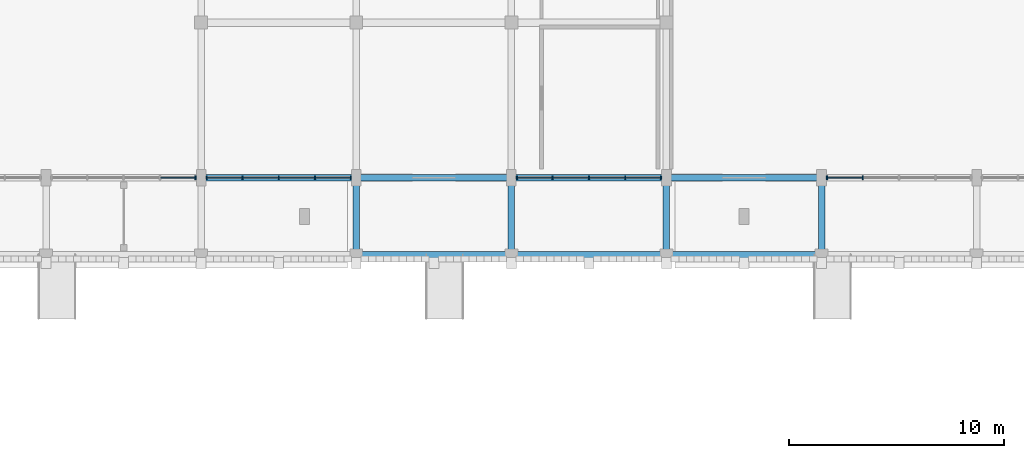
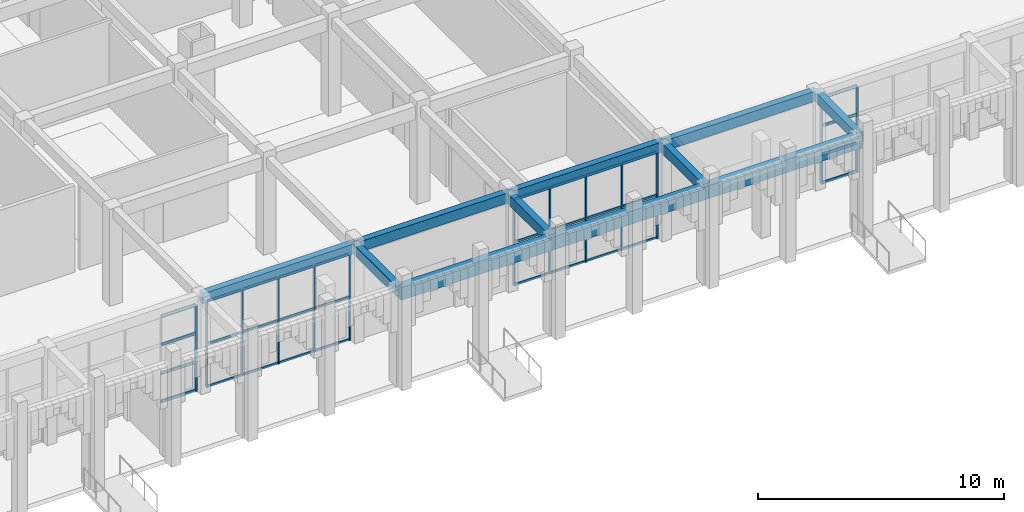
# One storey, part 15 of 72: 45 members, 11 beams, 4 elements without a shape of their own.
"""IFC4 building model written with IfcOpenShell, lengths in metres."""

from ifc_helpers import new_model, si_unit, direction, frame, origin, origin_2d, place, context, subcontext, project, spatial, rectangle, extrude, material, material_profile, profile_set, type_object, element, aggregate, save


model = new_model("IFC4")

# Units and contexts
model_context = context("Model", 3, precision=1e-05, world=origin(), true_north=direction((0.0, 1.0)))
body_context = subcontext(model_context, "Body", "Model", "MODEL_VIEW")
ifc_project = project(units=[si_unit("LENGTHUNIT", "METRE"), si_unit("AREAUNIT", "SQUARE_METRE"), si_unit("VOLUMEUNIT", "CUBIC_METRE"), si_unit("PLANEANGLEUNIT", "RADIAN"), si_unit("MASSUNIT", "GRAM", prefix="KILO")], contexts=[model_context])

# Site, building, storey
site_placement = place(None, origin())
site = spatial("IfcSite", under=ifc_project, at=site_placement, CompositionType="ELEMENT")
building_placement = place(site_placement, origin())
building = spatial("IfcBuilding", under=site, at=building_placement, Name="Nzembalo Square Collegiate School", CompositionType="ELEMENT")
storey_placement = place(building_placement, origin())
storey = spatial("IfcBuildingStorey", under=building, at=storey_placement, Name="L00", CompositionType="ELEMENT", Elevation=0.0)

# Beams
ifc_material_1 = material(Name="Concrete C35/45", Category="concrete")
ifc_material_profile_1 = material_profile(ifc_material_1, rectangle(XDim=0.35009765625, YDim=0.64990234375, at=origin_2d()), Name="RC 350x650")
ifc_profile_set_1 = profile_set([ifc_material_profile_1], Name="Concrete C35/45")
beam_type_1 = type_object("IfcBeamType", Name="B01", PredefinedType="BEAM", material=ifc_profile_set_1)
for number, where, z_axis, x_axis, name in (
    (1, (76.800048828125, 79.199951171875, 4.465087890625), (1.0, 0.0, 0.0), (0.0, 1.0, 0.0), "Beam B01 L00"),
    (2, (84.0, 79.199951171875, 4.465087890625), (1.0, 0.0, 0.0), (0.0, 1.0, 0.0), "Beam B01 L00"),
    (3, (91.199951171875, 79.199951171875, 4.465087890625), (1.0, 0.0, 0.0), (0.0, 1.0, 0.0), "Beam B01 L00"),
):
    element("IfcBeam", number, at=place(storey_placement, frame(where, z_axis=z_axis, x_axis=x_axis)), inside=storey, type_object=beam_type_1, Name=name, PredefinedType="BEAM", context=body_context, shape_type="SweptSolid", body=[
        extrude(rectangle(XDim=0.35009765625, YDim=0.64990234375, at=origin_2d()), origin(), (0.0, 0.0, 1.0), 7.199951171875),
    ])
ifc_material_2 = material(Name="Concrete C35/45", Category="concrete")
ifc_material_profile_2 = material_profile(ifc_material_2, rectangle(XDim=0.300048828125, YDim=0.5, at=origin_2d()), Name="RC 300x500")
ifc_profile_set_2 = profile_set([ifc_material_profile_2], Name="Concrete C35/45")
beam_type_2 = type_object("IfcBeamType", Name="B02", PredefinedType="BEAM", material=ifc_profile_set_2)
for number, where, z_axis, x_axis, name in (
    (4, (76.800048828125, 79.199951171875, 4.5400390625), (0.0, 1.0, 0.0), (-1.0, 0.0, 0.0), "Beam B02 L00"),
    (5, (84.0, 79.199951171875, 4.5400390625), (0.0, 1.0, 0.0), (-1.0, 0.0, 0.0), "Beam B02 L00"),
    (6, (91.199951171875, 79.199951171875, 4.5400390625), (0.0, 1.0, 0.0), (-1.0, 0.0, 0.0), "Beam B02 L00"),
    (7, (98.39990234375, 79.199951171875, 4.5400390625), (0.0, 1.0, 0.0), (-1.0, 0.0, 0.0), "Beam B02 L00"),
):
    element("IfcBeam", number, at=place(storey_placement, frame(where, z_axis=z_axis, x_axis=x_axis)), inside=storey, type_object=beam_type_2, Name=name, PredefinedType="BEAM", context=body_context, shape_type="SweptSolid", body=[
        extrude(rectangle(XDim=0.300048828125, YDim=0.5, at=origin_2d()), origin(), (0.0, 0.0, 1.0), 3.60009765625),
    ])
ifc_material_3 = material(Name="Concrete C35/45", Category="concrete")
ifc_material_profile_3 = material_profile(ifc_material_3, rectangle(XDim=0.300048828125, YDim=0.5, at=origin_2d()), Name="RC 300x500")
ifc_profile_set_3 = profile_set([ifc_material_profile_3], Name="Concrete C35/45")
beam_type_3 = type_object("IfcBeamType", Name="SP01", PredefinedType="SPANDREL", material=ifc_profile_set_3)
for number, where, z_axis, x_axis, name in (
    (8, (69.60009765625, 82.800048828125, 4.5400390625), (1.0, 0.0, 0.0), (0.0, 1.0, 0.0), "Beam SP01 L00"),
    (9, (76.800048828125, 82.800048828125, 4.5400390625), (1.0, 0.0, 0.0), (0.0, 1.0, 0.0), "Beam SP01 L00"),
    (10, (84.0, 82.800048828125, 4.5400390625), (1.0, 0.0, 0.0), (0.0, 1.0, 0.0), "Beam SP01 L00"),
    (11, (91.199951171875, 82.800048828125, 4.5400390625), (1.0, 0.0, 0.0), (0.0, 1.0, 0.0), "Beam SP01 L00"),
):
    element("IfcBeam", number, at=place(storey_placement, frame(where, z_axis=z_axis, x_axis=x_axis)), inside=storey, type_object=beam_type_3, Name=name, PredefinedType="SPANDREL", context=body_context, shape_type="SweptSolid", body=[
        extrude(rectangle(XDim=0.300048828125, YDim=0.5, at=origin_2d()), origin(), (0.0, 0.0, 1.0), 7.199951171875),
    ])

# Curtain wall, member
ifc_material_4 = material(Name="Aluminium 6060-T66", Category="aluminium")
curtain_wall_type_1 = type_object("IfcCurtainWallType", Name="CW-06", PredefinedType="USERDEFINED", material=ifc_material_4)
curtain_wall_1_placement = place(storey_placement, origin())
curtain_wall_1 = element("IfcCurtainWall", 12, at=curtain_wall_1_placement, inside=storey, type_object=curtain_wall_type_1, Name="Curtain wall CW-06 cw:L00:029", ObjectType="LANCET", PredefinedType="USERDEFINED")
ifc_material_5 = material(Name="Aluminium 6060-T66", Category="aluminium")
ifc_material_profile_4 = material_profile(ifc_material_5, rectangle(XDim=0.06005859375, YDim=0.179931640625, at=origin_2d()), Name="ALU M60x180")
ifc_profile_set_4 = profile_set([ifc_material_profile_4], Name="Aluminium 6060-T66")
member_type_1 = type_object("IfcMemberType", Name="ML01", PredefinedType="MULLION", material=ifc_profile_set_4)
member_1_placement = place(storey_placement, frame((69.343017578125, 82.800048828125, 0.0), z_axis=(0.0, 0.0, 1.0), x_axis=(1.0, 0.0, 0.0)))
member_1 = element("IfcMember", 13, at=member_1_placement, type_object=member_type_1, Name="ML01 mullion 5", PredefinedType="MULLION", context=body_context, shape_type="SweptSolid", body=[
    extrude(rectangle(XDim=0.06005859375, YDim=0.179931640625, at=origin_2d()), origin(), (0.0, 0.0, 1.0), 4.283935546875),
])

# Curtain wall, members
ifc_material_6 = material(Name="Aluminium 6060-T66", Category="aluminium")
curtain_wall_type_2 = type_object("IfcCurtainWallType", Name="CW-01", PredefinedType="USERDEFINED", material=ifc_material_6)
curtain_wall_2_placement = place(storey_placement, origin())
curtain_wall_2 = element("IfcCurtainWall", 14, at=curtain_wall_2_placement, inside=storey, type_object=curtain_wall_type_2, Name="Curtain wall CW-01 cw:L00:032", ObjectType="UNITISED", PredefinedType="USERDEFINED")
member_2_placement = place(storey_placement, frame((98.656982421875, 82.800048828125, 0.0), z_axis=(0.0, 0.0, 1.0), x_axis=(1.0, 0.0, 0.0)))
member_2 = element("IfcMember", 15, at=member_2_placement, type_object=member_type_1, Name="ML01 mullion 1", PredefinedType="MULLION", context=body_context, shape_type="SweptSolid", body=[
    extrude(rectangle(XDim=0.06005859375, YDim=0.179931640625, at=origin_2d()), origin(), (0.0, 0.0, 1.0), 4.283935546875),
])
member_3_placement = place(storey_placement, frame((100.3134765625, 82.800048828125, 0.0), z_axis=(0.0, 0.0, 1.0), x_axis=(1.0, 0.0, 0.0)))
member_3 = element("IfcMember", 16, at=member_3_placement, type_object=member_type_1, Name="ML01 mullion 2", PredefinedType="MULLION", context=body_context, shape_type="SweptSolid", body=[
    extrude(rectangle(XDim=0.06005859375, YDim=0.179931640625, at=origin_2d()), origin(), (0.0, 0.0, 1.0), 4.283935546875),
])

ifc_material_7 = material(Name="Aluminium 6060-T66", Category="aluminium")
curtain_wall_type_3 = type_object("IfcCurtainWallType", Name="CW-07", PredefinedType="USERDEFINED", material=ifc_material_7)
curtain_wall_3_placement = place(storey_placement, origin())
curtain_wall_3 = element("IfcCurtainWall", 17, at=curtain_wall_3_placement, inside=storey, type_object=curtain_wall_type_3, Name="Curtain wall CW-07 cw:L00:030", ObjectType="LANCET", PredefinedType="USERDEFINED")
ifc_material_8 = material(Name="Aluminium 6060-T66", Category="aluminium")
ifc_material_profile_5 = material_profile(ifc_material_8, rectangle(XDim=0.06005859375, YDim=0.14990234375, at=origin_2d()), Name="ALU M60x150")
ifc_profile_set_5 = profile_set([ifc_material_profile_5], Name="Aluminium 6060-T66")
member_type_2 = type_object("IfcMemberType", Name="ML02", PredefinedType="MULLION", material=ifc_profile_set_5)
member_4_placement = place(storey_placement, frame((69.85693359375, 82.800048828125, 0.0), z_axis=(0.0, 0.0, 1.0), x_axis=(1.0, 0.0, 0.0)))
member_4 = element("IfcMember", 18, at=member_4_placement, type_object=member_type_2, Name="ML02 mullion 1", PredefinedType="MULLION", context=body_context, shape_type="SweptSolid", body=[
    extrude(rectangle(XDim=0.06005859375, YDim=0.14990234375, at=origin_2d()), origin(), (0.0, 0.0, 1.0), 4.283935546875),
])
member_5_placement = place(storey_placement, frame((71.513427734375, 82.800048828125, 0.0), z_axis=(0.0, 0.0, 1.0), x_axis=(1.0, 0.0, 0.0)))
member_5 = element("IfcMember", 19, at=member_5_placement, type_object=member_type_2, Name="ML02 mullion 2", PredefinedType="MULLION", context=body_context, shape_type="SweptSolid", body=[
    extrude(rectangle(XDim=0.06005859375, YDim=0.14990234375, at=origin_2d()), origin(), (0.0, 0.0, 1.0), 4.283935546875),
])
member_6_placement = place(storey_placement, frame((73.199951171875, 82.800048828125, 0.0), z_axis=(0.0, 0.0, 1.0), x_axis=(1.0, 0.0, 0.0)))
member_6 = element("IfcMember", 20, at=member_6_placement, type_object=member_type_2, Name="ML02 mullion 3", PredefinedType="MULLION", context=body_context, shape_type="SweptSolid", body=[
    extrude(rectangle(XDim=0.06005859375, YDim=0.14990234375, at=origin_2d()), origin(), (0.0, 0.0, 1.0), 4.283935546875),
])
member_7_placement = place(storey_placement, frame((74.886474609375, 82.800048828125, 0.0), z_axis=(0.0, 0.0, 1.0), x_axis=(1.0, 0.0, 0.0)))
member_7 = element("IfcMember", 21, at=member_7_placement, type_object=member_type_2, Name="ML02 mullion 4", PredefinedType="MULLION", context=body_context, shape_type="SweptSolid", body=[
    extrude(rectangle(XDim=0.06005859375, YDim=0.14990234375, at=origin_2d()), origin(), (0.0, 0.0, 1.0), 4.283935546875),
])
member_8_placement = place(storey_placement, frame((76.54296875, 82.800048828125, 0.0), z_axis=(0.0, 0.0, 1.0), x_axis=(1.0, 0.0, 0.0)))
member_8 = element("IfcMember", 22, at=member_8_placement, type_object=member_type_2, Name="ML02 mullion 5", PredefinedType="MULLION", context=body_context, shape_type="SweptSolid", body=[
    extrude(rectangle(XDim=0.06005859375, YDim=0.14990234375, at=origin_2d()), origin(), (0.0, 0.0, 1.0), 4.283935546875),
])

ifc_material_9 = material(Name="Aluminium 6060-T66", Category="aluminium")
curtain_wall_type_4 = type_object("IfcCurtainWallType", Name="CW-08", PredefinedType="USERDEFINED", material=ifc_material_9)
curtain_wall_4_placement = place(storey_placement, origin())
curtain_wall_4 = element("IfcCurtainWall", 23, at=curtain_wall_4_placement, inside=storey, type_object=curtain_wall_type_4, Name="Curtain wall CW-08 cw:L00:031", ObjectType="LANCET", PredefinedType="USERDEFINED")
member_9_placement = place(storey_placement, frame((84.257080078125, 82.800048828125, 0.0), z_axis=(0.0, 0.0, 1.0), x_axis=(1.0, 0.0, 0.0)))
member_9 = element("IfcMember", 24, at=member_9_placement, type_object=member_type_2, Name="ML02 mullion 1", PredefinedType="MULLION", context=body_context, shape_type="SweptSolid", body=[
    extrude(rectangle(XDim=0.06005859375, YDim=0.14990234375, at=origin_2d()), origin(), (0.0, 0.0, 1.0), 4.283935546875),
])
member_10_placement = place(storey_placement, frame((85.91357421875, 82.800048828125, 0.0), z_axis=(0.0, 0.0, 1.0), x_axis=(1.0, 0.0, 0.0)))
member_10 = element("IfcMember", 25, at=member_10_placement, type_object=member_type_2, Name="ML02 mullion 2", PredefinedType="MULLION", context=body_context, shape_type="SweptSolid", body=[
    extrude(rectangle(XDim=0.06005859375, YDim=0.14990234375, at=origin_2d()), origin(), (0.0, 0.0, 1.0), 4.283935546875),
])
member_11_placement = place(storey_placement, frame((87.60009765625, 82.800048828125, 0.0), z_axis=(0.0, 0.0, 1.0), x_axis=(1.0, 0.0, 0.0)))
member_11 = element("IfcMember", 26, at=member_11_placement, type_object=member_type_2, Name="ML02 mullion 3", PredefinedType="MULLION", context=body_context, shape_type="SweptSolid", body=[
    extrude(rectangle(XDim=0.06005859375, YDim=0.14990234375, at=origin_2d()), origin(), (0.0, 0.0, 1.0), 4.283935546875),
])
member_12_placement = place(storey_placement, frame((89.28662109375, 82.800048828125, 0.0), z_axis=(0.0, 0.0, 1.0), x_axis=(1.0, 0.0, 0.0)))
member_12 = element("IfcMember", 27, at=member_12_placement, type_object=member_type_2, Name="ML02 mullion 4", PredefinedType="MULLION", context=body_context, shape_type="SweptSolid", body=[
    extrude(rectangle(XDim=0.06005859375, YDim=0.14990234375, at=origin_2d()), origin(), (0.0, 0.0, 1.0), 4.283935546875),
])
member_13_placement = place(storey_placement, frame((90.943115234375, 82.800048828125, 0.0), z_axis=(0.0, 0.0, 1.0), x_axis=(1.0, 0.0, 0.0)))
member_13 = element("IfcMember", 28, at=member_13_placement, type_object=member_type_2, Name="ML02 mullion 5", PredefinedType="MULLION", context=body_context, shape_type="SweptSolid", body=[
    extrude(rectangle(XDim=0.06005859375, YDim=0.14990234375, at=origin_2d()), origin(), (0.0, 0.0, 1.0), 4.283935546875),
])

# Member
ifc_material_10 = material(Name="Aluminium 6060-T66", Category="aluminium")
ifc_material_profile_6 = material_profile(ifc_material_10, rectangle(XDim=0.06005859375, YDim=0.139892578125, at=origin_2d()), Name="ALU T60x140")
ifc_profile_set_6 = profile_set([ifc_material_profile_6], Name="Aluminium 6060-T66")
member_type_3 = type_object("IfcMemberType", Name="TR01", PredefinedType="USERDEFINED", material=ifc_profile_set_6)
member_14_placement = place(storey_placement, frame((67.716552734375, 82.800048828125, 0.030029296875), z_axis=(1.0, 0.0, 0.0), x_axis=(0.0, 1.0, 0.0)))
member_14 = element("IfcMember", 29, at=member_14_placement, type_object=member_type_3, Name="TR01 transom 1-4", ObjectType="TRANSOM", PredefinedType="USERDEFINED", context=body_context, shape_type="SweptSolid", body=[
    extrude(rectangle(XDim=0.06005859375, YDim=0.139892578125, at=origin_2d()), origin(), (0.0, 0.0, 1.0), 1.596435546875),
])

member_15_placement = place(storey_placement, frame((67.716552734375, 82.800048828125, 1.427978515625), z_axis=(1.0, 0.0, 0.0), x_axis=(0.0, 1.0, 0.0)))
member_15 = element("IfcMember", 30, at=member_15_placement, type_object=member_type_3, Name="TR01 transom 2-4", ObjectType="TRANSOM", PredefinedType="USERDEFINED", context=body_context, shape_type="SweptSolid", body=[
    extrude(rectangle(XDim=0.06005859375, YDim=0.139892578125, at=origin_2d()), origin(), (0.0, 0.0, 1.0), 1.596435546875),
])

member_16_placement = place(storey_placement, frame((67.716552734375, 82.800048828125, 2.85595703125), z_axis=(1.0, 0.0, 0.0), x_axis=(0.0, 1.0, 0.0)))
member_16 = element("IfcMember", 31, at=member_16_placement, type_object=member_type_3, Name="TR01 transom 3-4", ObjectType="TRANSOM", PredefinedType="USERDEFINED", context=body_context, shape_type="SweptSolid", body=[
    extrude(rectangle(XDim=0.06005859375, YDim=0.139892578125, at=origin_2d()), origin(), (0.0, 0.0, 1.0), 1.596435546875),
])

member_17_placement = place(storey_placement, frame((67.716552734375, 82.800048828125, 4.25390625), z_axis=(1.0, 0.0, 0.0), x_axis=(0.0, 1.0, 0.0)))
member_17 = element("IfcMember", 32, at=member_17_placement, type_object=member_type_3, Name="TR01 transom 4-4", ObjectType="TRANSOM", PredefinedType="USERDEFINED", context=body_context, shape_type="SweptSolid", body=[
    extrude(rectangle(XDim=0.06005859375, YDim=0.139892578125, at=origin_2d()), origin(), (0.0, 0.0, 1.0), 1.596435546875),
])

aggregate(curtain_wall_1, [member_1, member_14, member_15, member_16, member_17])

member_18_placement = place(storey_placement, frame((98.68701171875, 82.800048828125, 0.030029296875), z_axis=(1.0, 0.0, 0.0), x_axis=(0.0, 1.0, 0.0)))
member_18 = element("IfcMember", 33, at=member_18_placement, type_object=member_type_3, Name="TR01 transom 1-1", ObjectType="TRANSOM", PredefinedType="USERDEFINED", context=body_context, shape_type="SweptSolid", body=[
    extrude(rectangle(XDim=0.06005859375, YDim=0.139892578125, at=origin_2d()), origin(), (0.0, 0.0, 1.0), 1.596435546875),
])

member_19_placement = place(storey_placement, frame((98.68701171875, 82.800048828125, 1.427978515625), z_axis=(1.0, 0.0, 0.0), x_axis=(0.0, 1.0, 0.0)))
member_19 = element("IfcMember", 34, at=member_19_placement, type_object=member_type_3, Name="TR01 transom 2-1", ObjectType="TRANSOM", PredefinedType="USERDEFINED", context=body_context, shape_type="SweptSolid", body=[
    extrude(rectangle(XDim=0.06005859375, YDim=0.139892578125, at=origin_2d()), origin(), (0.0, 0.0, 1.0), 1.596435546875),
])

member_20_placement = place(storey_placement, frame((98.68701171875, 82.800048828125, 2.85595703125), z_axis=(1.0, 0.0, 0.0), x_axis=(0.0, 1.0, 0.0)))
member_20 = element("IfcMember", 35, at=member_20_placement, type_object=member_type_3, Name="TR01 transom 3-1", ObjectType="TRANSOM", PredefinedType="USERDEFINED", context=body_context, shape_type="SweptSolid", body=[
    extrude(rectangle(XDim=0.06005859375, YDim=0.139892578125, at=origin_2d()), origin(), (0.0, 0.0, 1.0), 1.596435546875),
])

member_21_placement = place(storey_placement, frame((98.68701171875, 82.800048828125, 4.25390625), z_axis=(1.0, 0.0, 0.0), x_axis=(0.0, 1.0, 0.0)))
member_21 = element("IfcMember", 36, at=member_21_placement, type_object=member_type_3, Name="TR01 transom 4-1", ObjectType="TRANSOM", PredefinedType="USERDEFINED", context=body_context, shape_type="SweptSolid", body=[
    extrude(rectangle(XDim=0.06005859375, YDim=0.139892578125, at=origin_2d()), origin(), (0.0, 0.0, 1.0), 1.596435546875),
])

aggregate(curtain_wall_2, [member_2, member_3, member_18, member_19, member_20, member_21])

ifc_material_11 = material(Name="Aluminium 6060-T66", Category="aluminium")
ifc_material_profile_7 = material_profile(ifc_material_11, rectangle(XDim=0.06005859375, YDim=0.110107421875, at=origin_2d()), Name="ALU T60x110")
ifc_profile_set_7 = profile_set([ifc_material_profile_7], Name="Aluminium 6060-T66")
member_type_4 = type_object("IfcMemberType", Name="TR02", PredefinedType="USERDEFINED", material=ifc_profile_set_7)
member_22_placement = place(storey_placement, frame((69.886962890625, 82.800048828125, 0.030029296875), z_axis=(1.0, 0.0, 0.0), x_axis=(0.0, 1.0, 0.0)))
member_22 = element("IfcMember", 37, at=member_22_placement, type_object=member_type_4, Name="TR02 transom 1-1", ObjectType="TRANSOM", PredefinedType="USERDEFINED", context=body_context, shape_type="SweptSolid", body=[
    extrude(rectangle(XDim=0.06005859375, YDim=0.110107421875, at=origin_2d()), origin(), (0.0, 0.0, 1.0), 1.596435546875),
])

member_23_placement = place(storey_placement, frame((71.54345703125, 82.800048828125, 0.030029296875), z_axis=(1.0, 0.0, 0.0), x_axis=(0.0, 1.0, 0.0)))
member_23 = element("IfcMember", 38, at=member_23_placement, type_object=member_type_4, Name="TR02 transom 1-2", ObjectType="TRANSOM", PredefinedType="USERDEFINED", context=body_context, shape_type="SweptSolid", body=[
    extrude(rectangle(XDim=0.06005859375, YDim=0.110107421875, at=origin_2d()), origin(), (0.0, 0.0, 1.0), 1.62646484375),
])

member_24_placement = place(storey_placement, frame((73.22998046875, 82.800048828125, 0.030029296875), z_axis=(1.0, 0.0, 0.0), x_axis=(0.0, 1.0, 0.0)))
member_24 = element("IfcMember", 39, at=member_24_placement, type_object=member_type_4, Name="TR02 transom 1-3", ObjectType="TRANSOM", PredefinedType="USERDEFINED", context=body_context, shape_type="SweptSolid", body=[
    extrude(rectangle(XDim=0.06005859375, YDim=0.110107421875, at=origin_2d()), origin(), (0.0, 0.0, 1.0), 1.62646484375),
])

member_25_placement = place(storey_placement, frame((74.91650390625, 82.800048828125, 0.030029296875), z_axis=(1.0, 0.0, 0.0), x_axis=(0.0, 1.0, 0.0)))
member_25 = element("IfcMember", 40, at=member_25_placement, type_object=member_type_4, Name="TR02 transom 1-4", ObjectType="TRANSOM", PredefinedType="USERDEFINED", context=body_context, shape_type="SweptSolid", body=[
    extrude(rectangle(XDim=0.06005859375, YDim=0.110107421875, at=origin_2d()), origin(), (0.0, 0.0, 1.0), 1.596435546875),
])

member_26_placement = place(storey_placement, frame((69.886962890625, 82.800048828125, 2.14208984375), z_axis=(1.0, 0.0, 0.0), x_axis=(0.0, 1.0, 0.0)))
member_26 = element("IfcMember", 41, at=member_26_placement, type_object=member_type_4, Name="TR02 transom 2-1", ObjectType="TRANSOM", PredefinedType="USERDEFINED", context=body_context, shape_type="SweptSolid", body=[
    extrude(rectangle(XDim=0.06005859375, YDim=0.110107421875, at=origin_2d()), origin(), (0.0, 0.0, 1.0), 1.596435546875),
])

member_27_placement = place(storey_placement, frame((71.54345703125, 82.800048828125, 2.14208984375), z_axis=(1.0, 0.0, 0.0), x_axis=(0.0, 1.0, 0.0)))
member_27 = element("IfcMember", 42, at=member_27_placement, type_object=member_type_4, Name="TR02 transom 2-2", ObjectType="TRANSOM", PredefinedType="USERDEFINED", context=body_context, shape_type="SweptSolid", body=[
    extrude(rectangle(XDim=0.06005859375, YDim=0.110107421875, at=origin_2d()), origin(), (0.0, 0.0, 1.0), 1.62646484375),
])

member_28_placement = place(storey_placement, frame((73.22998046875, 82.800048828125, 2.14208984375), z_axis=(1.0, 0.0, 0.0), x_axis=(0.0, 1.0, 0.0)))
member_28 = element("IfcMember", 43, at=member_28_placement, type_object=member_type_4, Name="TR02 transom 2-3", ObjectType="TRANSOM", PredefinedType="USERDEFINED", context=body_context, shape_type="SweptSolid", body=[
    extrude(rectangle(XDim=0.06005859375, YDim=0.110107421875, at=origin_2d()), origin(), (0.0, 0.0, 1.0), 1.62646484375),
])

member_29_placement = place(storey_placement, frame((74.91650390625, 82.800048828125, 2.14208984375), z_axis=(1.0, 0.0, 0.0), x_axis=(0.0, 1.0, 0.0)))
member_29 = element("IfcMember", 44, at=member_29_placement, type_object=member_type_4, Name="TR02 transom 2-4", ObjectType="TRANSOM", PredefinedType="USERDEFINED", context=body_context, shape_type="SweptSolid", body=[
    extrude(rectangle(XDim=0.06005859375, YDim=0.110107421875, at=origin_2d()), origin(), (0.0, 0.0, 1.0), 1.596435546875),
])

member_30_placement = place(storey_placement, frame((69.886962890625, 82.800048828125, 4.25390625), z_axis=(1.0, 0.0, 0.0), x_axis=(0.0, 1.0, 0.0)))
member_30 = element("IfcMember", 45, at=member_30_placement, type_object=member_type_4, Name="TR02 transom 3-1", ObjectType="TRANSOM", PredefinedType="USERDEFINED", context=body_context, shape_type="SweptSolid", body=[
    extrude(rectangle(XDim=0.06005859375, YDim=0.110107421875, at=origin_2d()), origin(), (0.0, 0.0, 1.0), 1.596435546875),
])

member_31_placement = place(storey_placement, frame((71.54345703125, 82.800048828125, 4.25390625), z_axis=(1.0, 0.0, 0.0), x_axis=(0.0, 1.0, 0.0)))
member_31 = element("IfcMember", 46, at=member_31_placement, type_object=member_type_4, Name="TR02 transom 3-2", ObjectType="TRANSOM", PredefinedType="USERDEFINED", context=body_context, shape_type="SweptSolid", body=[
    extrude(rectangle(XDim=0.06005859375, YDim=0.110107421875, at=origin_2d()), origin(), (0.0, 0.0, 1.0), 1.62646484375),
])

member_32_placement = place(storey_placement, frame((73.22998046875, 82.800048828125, 4.25390625), z_axis=(1.0, 0.0, 0.0), x_axis=(0.0, 1.0, 0.0)))
member_32 = element("IfcMember", 47, at=member_32_placement, type_object=member_type_4, Name="TR02 transom 3-3", ObjectType="TRANSOM", PredefinedType="USERDEFINED", context=body_context, shape_type="SweptSolid", body=[
    extrude(rectangle(XDim=0.06005859375, YDim=0.110107421875, at=origin_2d()), origin(), (0.0, 0.0, 1.0), 1.62646484375),
])

member_33_placement = place(storey_placement, frame((74.91650390625, 82.800048828125, 4.25390625), z_axis=(1.0, 0.0, 0.0), x_axis=(0.0, 1.0, 0.0)))
member_33 = element("IfcMember", 48, at=member_33_placement, type_object=member_type_4, Name="TR02 transom 3-4", ObjectType="TRANSOM", PredefinedType="USERDEFINED", context=body_context, shape_type="SweptSolid", body=[
    extrude(rectangle(XDim=0.06005859375, YDim=0.110107421875, at=origin_2d()), origin(), (0.0, 0.0, 1.0), 1.596435546875),
])

aggregate(curtain_wall_3, [member_4, member_5, member_6, member_7, member_8, member_22, member_23, member_24, member_25, member_26, member_27, member_28, member_29, member_30, member_31, member_32, member_33])

member_34_placement = place(storey_placement, frame((84.287109375, 82.800048828125, 0.030029296875), z_axis=(1.0, 0.0, 0.0), x_axis=(0.0, 1.0, 0.0)))
member_34 = element("IfcMember", 49, at=member_34_placement, type_object=member_type_4, Name="TR02 transom 1-1", ObjectType="TRANSOM", PredefinedType="USERDEFINED", context=body_context, shape_type="SweptSolid", body=[
    extrude(rectangle(XDim=0.06005859375, YDim=0.110107421875, at=origin_2d()), origin(), (0.0, 0.0, 1.0), 1.596435546875),
])

member_35_placement = place(storey_placement, frame((85.943603515625, 82.800048828125, 0.030029296875), z_axis=(1.0, 0.0, 0.0), x_axis=(0.0, 1.0, 0.0)))
member_35 = element("IfcMember", 50, at=member_35_placement, type_object=member_type_4, Name="TR02 transom 1-2", ObjectType="TRANSOM", PredefinedType="USERDEFINED", context=body_context, shape_type="SweptSolid", body=[
    extrude(rectangle(XDim=0.06005859375, YDim=0.110107421875, at=origin_2d()), origin(), (0.0, 0.0, 1.0), 1.62646484375),
])

member_36_placement = place(storey_placement, frame((87.6298828125, 82.800048828125, 0.030029296875), z_axis=(1.0, 0.0, 0.0), x_axis=(0.0, 1.0, 0.0)))
member_36 = element("IfcMember", 51, at=member_36_placement, type_object=member_type_4, Name="TR02 transom 1-3", ObjectType="TRANSOM", PredefinedType="USERDEFINED", context=body_context, shape_type="SweptSolid", body=[
    extrude(rectangle(XDim=0.06005859375, YDim=0.110107421875, at=origin_2d()), origin(), (0.0, 0.0, 1.0), 1.626708984375),
])

member_37_placement = place(storey_placement, frame((89.31640625, 82.800048828125, 0.030029296875), z_axis=(1.0, 0.0, 0.0), x_axis=(0.0, 1.0, 0.0)))
member_37 = element("IfcMember", 52, at=member_37_placement, type_object=member_type_4, Name="TR02 transom 1-4", ObjectType="TRANSOM", PredefinedType="USERDEFINED", context=body_context, shape_type="SweptSolid", body=[
    extrude(rectangle(XDim=0.06005859375, YDim=0.110107421875, at=origin_2d()), origin(), (0.0, 0.0, 1.0), 1.5966796875),
])

member_38_placement = place(storey_placement, frame((84.287109375, 82.800048828125, 2.14208984375), z_axis=(1.0, 0.0, 0.0), x_axis=(0.0, 1.0, 0.0)))
member_38 = element("IfcMember", 53, at=member_38_placement, type_object=member_type_4, Name="TR02 transom 2-1", ObjectType="TRANSOM", PredefinedType="USERDEFINED", context=body_context, shape_type="SweptSolid", body=[
    extrude(rectangle(XDim=0.06005859375, YDim=0.110107421875, at=origin_2d()), origin(), (0.0, 0.0, 1.0), 1.596435546875),
])

member_39_placement = place(storey_placement, frame((85.943603515625, 82.800048828125, 2.14208984375), z_axis=(1.0, 0.0, 0.0), x_axis=(0.0, 1.0, 0.0)))
member_39 = element("IfcMember", 54, at=member_39_placement, type_object=member_type_4, Name="TR02 transom 2-2", ObjectType="TRANSOM", PredefinedType="USERDEFINED", context=body_context, shape_type="SweptSolid", body=[
    extrude(rectangle(XDim=0.06005859375, YDim=0.110107421875, at=origin_2d()), origin(), (0.0, 0.0, 1.0), 1.62646484375),
])

member_40_placement = place(storey_placement, frame((87.6298828125, 82.800048828125, 2.14208984375), z_axis=(1.0, 0.0, 0.0), x_axis=(0.0, 1.0, 0.0)))
member_40 = element("IfcMember", 55, at=member_40_placement, type_object=member_type_4, Name="TR02 transom 2-3", ObjectType="TRANSOM", PredefinedType="USERDEFINED", context=body_context, shape_type="SweptSolid", body=[
    extrude(rectangle(XDim=0.06005859375, YDim=0.110107421875, at=origin_2d()), origin(), (0.0, 0.0, 1.0), 1.626708984375),
])

member_41_placement = place(storey_placement, frame((89.31640625, 82.800048828125, 2.14208984375), z_axis=(1.0, 0.0, 0.0), x_axis=(0.0, 1.0, 0.0)))
member_41 = element("IfcMember", 56, at=member_41_placement, type_object=member_type_4, Name="TR02 transom 2-4", ObjectType="TRANSOM", PredefinedType="USERDEFINED", context=body_context, shape_type="SweptSolid", body=[
    extrude(rectangle(XDim=0.06005859375, YDim=0.110107421875, at=origin_2d()), origin(), (0.0, 0.0, 1.0), 1.5966796875),
])

member_42_placement = place(storey_placement, frame((84.287109375, 82.800048828125, 4.25390625), z_axis=(1.0, 0.0, 0.0), x_axis=(0.0, 1.0, 0.0)))
member_42 = element("IfcMember", 57, at=member_42_placement, type_object=member_type_4, Name="TR02 transom 3-1", ObjectType="TRANSOM", PredefinedType="USERDEFINED", context=body_context, shape_type="SweptSolid", body=[
    extrude(rectangle(XDim=0.06005859375, YDim=0.110107421875, at=origin_2d()), origin(), (0.0, 0.0, 1.0), 1.596435546875),
])

member_43_placement = place(storey_placement, frame((85.943603515625, 82.800048828125, 4.25390625), z_axis=(1.0, 0.0, 0.0), x_axis=(0.0, 1.0, 0.0)))
member_43 = element("IfcMember", 58, at=member_43_placement, type_object=member_type_4, Name="TR02 transom 3-2", ObjectType="TRANSOM", PredefinedType="USERDEFINED", context=body_context, shape_type="SweptSolid", body=[
    extrude(rectangle(XDim=0.06005859375, YDim=0.110107421875, at=origin_2d()), origin(), (0.0, 0.0, 1.0), 1.62646484375),
])

member_44_placement = place(storey_placement, frame((87.6298828125, 82.800048828125, 4.25390625), z_axis=(1.0, 0.0, 0.0), x_axis=(0.0, 1.0, 0.0)))
member_44 = element("IfcMember", 59, at=member_44_placement, type_object=member_type_4, Name="TR02 transom 3-3", ObjectType="TRANSOM", PredefinedType="USERDEFINED", context=body_context, shape_type="SweptSolid", body=[
    extrude(rectangle(XDim=0.06005859375, YDim=0.110107421875, at=origin_2d()), origin(), (0.0, 0.0, 1.0), 1.626708984375),
])

member_45_placement = place(storey_placement, frame((89.31640625, 82.800048828125, 4.25390625), z_axis=(1.0, 0.0, 0.0), x_axis=(0.0, 1.0, 0.0)))
member_45 = element("IfcMember", 60, at=member_45_placement, type_object=member_type_4, Name="TR02 transom 3-4", ObjectType="TRANSOM", PredefinedType="USERDEFINED", context=body_context, shape_type="SweptSolid", body=[
    extrude(rectangle(XDim=0.06005859375, YDim=0.110107421875, at=origin_2d()), origin(), (0.0, 0.0, 1.0), 1.5966796875),
])

aggregate(curtain_wall_4, [member_9, member_10, member_11, member_12, member_13, member_34, member_35, member_36, member_37, member_38, member_39, member_40, member_41, member_42, member_43, member_44, member_45])

save(model, "model.ifc")
